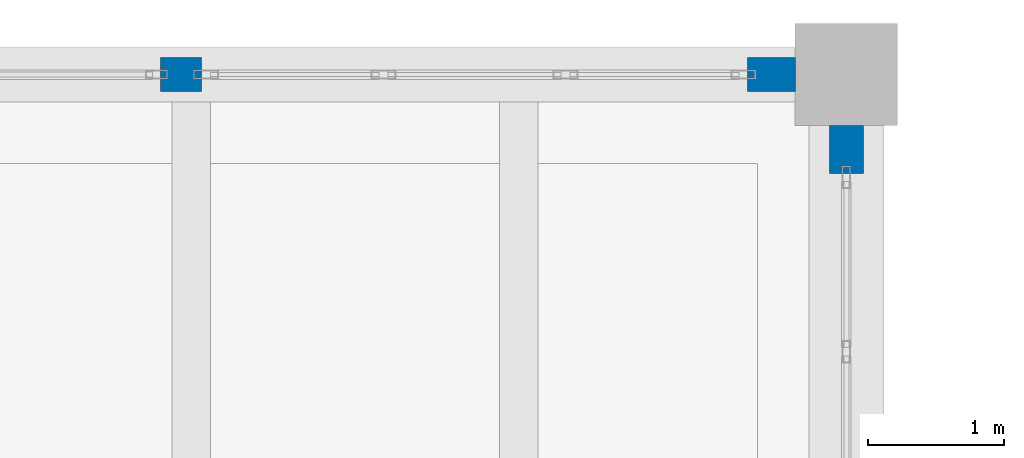
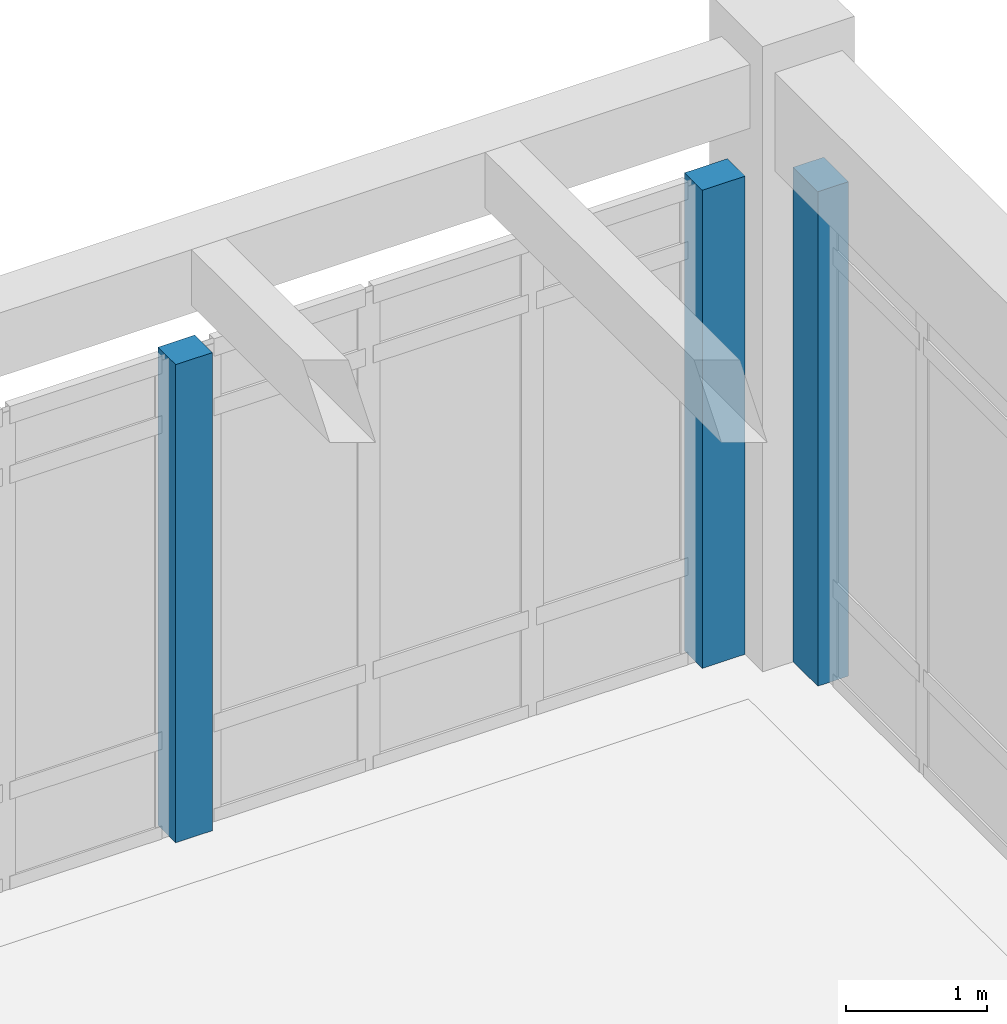
# One storey, part 117 of 138: 3 walls.
"""IFC4 building model written with IfcOpenShell, lengths in metres."""

from ifc_helpers import new_model, si_unit, direction, frame, frame_2d, origin, place, context, subcontext, project, spatial, rectangle, extrude, material, layer, layer_set, type_object, element, save


model = new_model("IFC4")

# Units and contexts
model_context = context("Model", 3, precision=1e-05, world=origin(), true_north=direction((0.0, 1.0)))
body_context = subcontext(model_context, "Body", "Model", "MODEL_VIEW")
ifc_project = project(units=[si_unit("LENGTHUNIT", "METRE"), si_unit("AREAUNIT", "SQUARE_METRE"), si_unit("VOLUMEUNIT", "CUBIC_METRE"), si_unit("PLANEANGLEUNIT", "RADIAN"), si_unit("MASSUNIT", "GRAM", prefix="KILO")], contexts=[model_context])

# Site, building, storey
site_placement = place(None, origin())
site = spatial("IfcSite", under=ifc_project, at=site_placement, CompositionType="ELEMENT")
building_placement = place(site_placement, origin())
building = spatial("IfcBuilding", under=site, at=building_placement, Name="Fikremerkos Civic Library", CompositionType="ELEMENT")
storey_placement = place(building_placement, origin())
storey = spatial("IfcBuildingStorey", under=building, at=storey_placement, Name="L00", CompositionType="ELEMENT", Elevation=0.0)

# Walls
ifc_material = material(Name="Precast concrete C40/50", Category="concrete")
ifc_layer = layer(ifc_material, 0.25, Name="Precast concrete C40/50")
ifc_layer_set = layer_set([ifc_layer], Name="Precast concrete C40/50")
wall_type = type_object("IfcWallType", Name="Exterior solid wall ESW-05 250", PredefinedType="SOLIDWALL", material=ifc_layer_set)
wall_1_placement = place(storey_placement, frame((133.677001953125, 117.60009765625, 0.0), z_axis=(0.0, 0.0, 1.0), x_axis=(1.0, 0.0, 0.0)))
element("IfcWall", 1, at=wall_1_placement, inside=storey, type_object=wall_type, Name="Exterior facade pier ESW-05 #280", PredefinedType="SOLIDWALL", context=body_context, shape_type="SweptSolid", body=[
    extrude(rectangle(XDim=0.35009765625, YDim=0.25, at=frame_2d((0.175048828125, 0.0))), origin(), (0.0, 0.0, 1.0), 4.1298828125),
])
wall_2_placement = place(storey_placement, frame((129.375, 117.60009765625, 0.0), z_axis=(0.0, 0.0, 1.0), x_axis=(1.0, 0.0, 0.0)))
element("IfcWall", 2, at=wall_2_placement, inside=storey, type_object=wall_type, Name="Exterior facade mullion pier ESW-05 #281", PredefinedType="SOLIDWALL", context=body_context, shape_type="SweptSolid", body=[
    extrude(rectangle(XDim=0.300048828125, YDim=0.25, at=frame_2d((0.14990234375, 0.0))), origin(), (0.0, 0.0, 1.0), 4.1298828125),
])
wall_3_placement = place(storey_placement, frame((134.39990234375, 117.22705078125, 0.0), z_axis=(0.0, 0.0, 1.0), x_axis=(0.0, -1.0, 0.0)))
element("IfcWall", 3, at=wall_3_placement, inside=storey, type_object=wall_type, Name="Exterior facade pier ESW-05 #282", PredefinedType="SOLIDWALL", context=body_context, shape_type="SweptSolid", body=[
    extrude(rectangle(XDim=0.35009765625, YDim=0.25, at=frame_2d((0.175048828125, 0.0))), origin(), (0.0, 0.0, 1.0), 4.27001953125),
])

save(model, "model.ifc")
